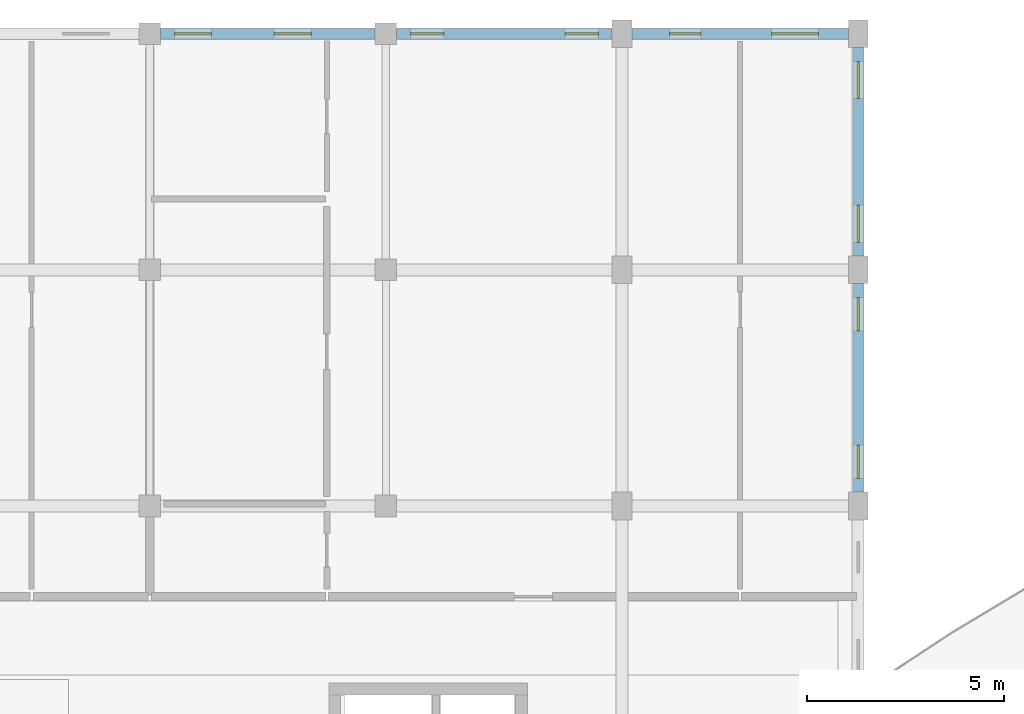
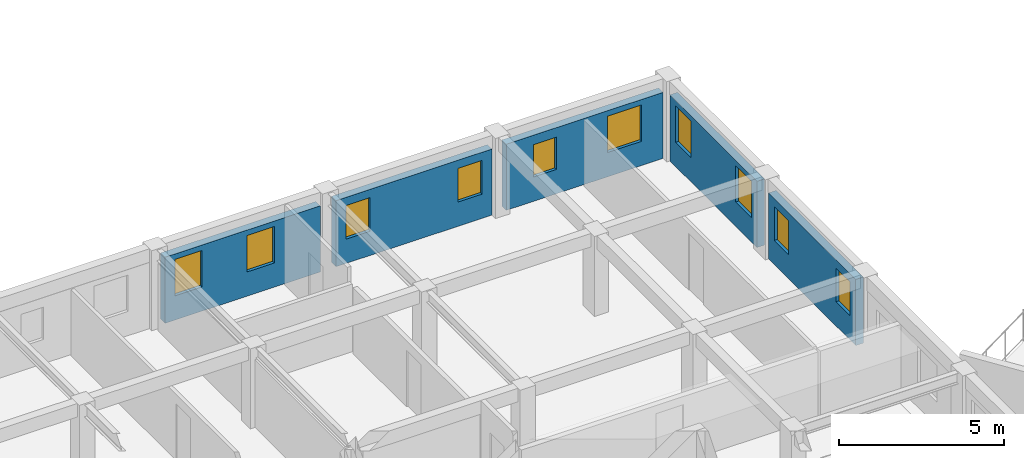
# One storey, part 38 of 58: 10 windows, 5 walls, 10 openings.
"""IFC4 building model written with IfcOpenShell, lengths in metres."""

from ifc_helpers import new_model, si_unit, direction, frame, frame_2d, origin, place, context, subcontext, project, spatial, rectangle, extrude, material, layer, layer_set, type_object, element, fill, save


model = new_model("IFC4")

# Units and contexts
model_context = context("Model", 3, precision=1e-05, world=origin(), true_north=direction((0.0, 1.0)))
body_context = subcontext(model_context, "Body", "Model", "MODEL_VIEW")
ifc_project = project(units=[si_unit("LENGTHUNIT", "METRE"), si_unit("AREAUNIT", "SQUARE_METRE"), si_unit("VOLUMEUNIT", "CUBIC_METRE"), si_unit("PLANEANGLEUNIT", "RADIAN"), si_unit("MASSUNIT", "GRAM", prefix="KILO"), si_unit("POWERUNIT", "WATT"), si_unit("THERMODYNAMICTEMPERATUREUNIT", "KELVIN")], contexts=[model_context])

# Site, building, storey
site_placement = place(None, origin())
site = spatial("IfcSite", under=ifc_project, at=site_placement, CompositionType="ELEMENT")
building_placement = place(site_placement, origin())
building = spatial("IfcBuilding", under=site, at=building_placement, Name="Ruvembo Vaulted Housing Court", CompositionType="ELEMENT")
storey_placement = place(building_placement, frame((0.0, 0.0, 20.5)))
storey = spatial("IfcBuildingStorey", under=building, at=storey_placement, Name="L06", CompositionType="ELEMENT", Elevation=20.5)

# Wall, openings, windows
ifc_material_1 = material(Name="Rendered Masonry 270", Category="masonry")
ifc_layer = layer(ifc_material_1, 0.27001953125, Name="Rendered Masonry 270")
ifc_layer_set = layer_set([ifc_layer], Name="Rendered Masonry 270")
wall_type = type_object("IfcWallType", Name="WL-EXT-270", PredefinedType="STANDARD", material=ifc_layer_set)
wall_1_placement = place(storey_placement, frame((84.0, 102.35009765625, 0.0), z_axis=(0.0, 0.0, 1.0), x_axis=(0.0, 1.0, 0.0)))
wall_1 = element("IfcWall", 1, at=wall_1_placement, inside=storey, type_object=wall_type, Name="Block B L06 Exterior Wall EAST #5", PredefinedType="STANDARD", context=body_context, shape_type="SweptSolid", body=[
    extrude(rectangle(XDim=5.2998046875, YDim=0.27001953125, at=frame_2d((2.64990234375, 0.0))), origin(), (0.0, 0.0, 1.0), 2.451904296875),
])
opening_1_placement = place(wall_1_placement, frame((0.35009765625, 0.0, 0.89990234375)))
opening_1 = element("IfcOpeningElement", 2, at=opening_1_placement, cuts=wall_1, Name="Opening W03", PredefinedType="OPENING", context=body_context, shape_type="SweptSolid", body=[
    extrude(rectangle(XDim=0.85009765625, YDim=1.25, at=frame_2d((0.425048828125, 0.625))), frame((0.0, 0.14501953125, 0.0), z_axis=(0.0, -1.0, 0.0), x_axis=(1.0, 0.0, 0.0)), (0.0, 0.0, 1.0), 0.2900390625),
])
opening_2_placement = place(wall_1_placement, frame((4.10009765625, 0.0, 0.89990234375)))
opening_2 = element("IfcOpeningElement", 3, at=opening_2_placement, cuts=wall_1, Name="Opening W03", PredefinedType="OPENING", context=body_context, shape_type="SweptSolid", body=[
    extrude(rectangle(XDim=0.85009765625, YDim=1.25, at=frame_2d((0.425048828125, 0.625))), frame((0.0, 0.14501953125, 0.0), z_axis=(0.0, -1.0, 0.0), x_axis=(1.0, 0.0, 0.0)), (0.0, 0.0, 1.0), 0.2900390625),
])
ifc_material_2 = material(Name="Double Solar-Control Glazing in Aluminium Frame", Category="aluminium")
window_type_1 = type_object("IfcWindowType", Name="WIN-0850x1250", PartitioningType="SINGLE_PANEL", PredefinedType="WINDOW", material=ifc_material_2)
window_1_placement = place(opening_1_placement, origin())
window_1 = element("IfcWindow", 4, at=window_1_placement, inside=storey, type_object=window_type_1, Name="Block B L06 Window #877", OverallHeight=1.25, OverallWidth=0.85009765625, PartitioningType="SINGLE_PANEL", PredefinedType="WINDOW", context=body_context, shape_type="SweptSolid", body=[
    extrude(rectangle(XDim=0.85009765625, YDim=1.25, at=frame_2d((0.425048828125, 0.625))), frame((0.0, 0.030029296875, 0.0), z_axis=(0.0, -1.0, 0.0), x_axis=(1.0, 0.0, 0.0)), (0.0, 0.0, 1.0), 0.06005859375),
])
fill(opening_1, window_1)
window_2_placement = place(opening_2_placement, origin())
window_2 = element("IfcWindow", 5, at=window_2_placement, inside=storey, type_object=window_type_1, Name="Block B L06 Window #878", OverallHeight=1.25, OverallWidth=0.85009765625, PartitioningType="SINGLE_PANEL", PredefinedType="WINDOW", context=body_context, shape_type="SweptSolid", body=[
    extrude(rectangle(XDim=0.85009765625, YDim=1.25, at=frame_2d((0.425048828125, 0.625))), frame((0.0, 0.030029296875, 0.0), z_axis=(0.0, -1.0, 0.0), x_axis=(1.0, 0.0, 0.0)), (0.0, 0.0, 1.0), 0.06005859375),
])
fill(opening_2, window_2)

wall_2_placement = place(storey_placement, frame((84.0, 108.35009765625, 0.0), z_axis=(0.0, 0.0, 1.0), x_axis=(0.0, 1.0, 0.0)))
wall_2 = element("IfcWall", 6, at=wall_2_placement, inside=storey, type_object=wall_type, Name="Block B L06 Exterior Wall EAST #6", PredefinedType="STANDARD", context=body_context, shape_type="SweptSolid", body=[
    extrude(rectangle(XDim=5.2998046875, YDim=0.27001953125, at=frame_2d((2.64990234375, 0.0))), origin(), (0.0, 0.0, 1.0), 2.451904296875),
])
opening_3_placement = place(wall_2_placement, frame((0.35009765625, 0.0, 0.89990234375)))
opening_3 = element("IfcOpeningElement", 7, at=opening_3_placement, cuts=wall_2, Name="Opening W07", PredefinedType="OPENING", context=body_context, shape_type="SweptSolid", body=[
    extrude(rectangle(XDim=0.949951171875, YDim=1.35009765625, at=frame_2d((0.47509765625, 0.675048828125))), frame((0.0, 0.14501953125, 0.0), z_axis=(0.0, -1.0, 0.0), x_axis=(1.0, 0.0, 0.0)), (0.0, 0.0, 1.0), 0.2900390625),
])
opening_4_placement = place(wall_2_placement, frame((4.0, 0.0, 0.89990234375)))
opening_4 = element("IfcOpeningElement", 8, at=opening_4_placement, cuts=wall_2, Name="Opening W07", PredefinedType="OPENING", context=body_context, shape_type="SweptSolid", body=[
    extrude(rectangle(XDim=0.949951171875, YDim=1.35009765625, at=frame_2d((0.47509765625, 0.675048828125))), frame((0.0, 0.14501953125, 0.0), z_axis=(0.0, -1.0, 0.0), x_axis=(1.0, 0.0, 0.0)), (0.0, 0.0, 1.0), 0.2900390625),
])
window_type_2 = type_object("IfcWindowType", Name="WIN-0950x1350", PartitioningType="SINGLE_PANEL", PredefinedType="WINDOW", material=ifc_material_2)
window_3_placement = place(opening_3_placement, origin())
window_3 = element("IfcWindow", 9, at=window_3_placement, inside=storey, type_object=window_type_2, Name="Block B L06 Window #879", OverallHeight=1.35009765625, OverallWidth=0.949951171875, PartitioningType="SINGLE_PANEL", PredefinedType="WINDOW", context=body_context, shape_type="SweptSolid", body=[
    extrude(rectangle(XDim=0.949951171875, YDim=1.35009765625, at=frame_2d((0.47509765625, 0.675048828125))), frame((0.0, 0.030029296875, 0.0), z_axis=(0.0, -1.0, 0.0), x_axis=(1.0, 0.0, 0.0)), (0.0, 0.0, 1.0), 0.06005859375),
])
fill(opening_3, window_3)
window_4_placement = place(opening_4_placement, origin())
window_4 = element("IfcWindow", 10, at=window_4_placement, inside=storey, type_object=window_type_2, Name="Block B L06 Window #880", OverallHeight=1.35009765625, OverallWidth=0.949951171875, PartitioningType="SINGLE_PANEL", PredefinedType="WINDOW", context=body_context, shape_type="SweptSolid", body=[
    extrude(rectangle(XDim=0.949951171875, YDim=1.35009765625, at=frame_2d((0.47509765625, 0.675048828125))), frame((0.0, 0.030029296875, 0.0), z_axis=(0.0, -1.0, 0.0), x_axis=(1.0, 0.0, 0.0)), (0.0, 0.0, 1.0), 0.06005859375),
])
fill(opening_4, window_4)

wall_3_placement = place(storey_placement, frame((83.75, 114.0, 0.0), z_axis=(0.0, 0.0, 1.0), x_axis=(-1.0, 0.0, 0.0)))
wall_3 = element("IfcWall", 11, at=wall_3_placement, inside=storey, type_object=wall_type, Name="Block B L06 Exterior Wall STREET #1", PredefinedType="STANDARD", context=body_context, shape_type="SweptSolid", body=[
    extrude(rectangle(XDim=5.5, YDim=0.27001953125, at=frame_2d((2.75, 0.0))), origin(), (0.0, 0.0, 1.0), 2.451904296875),
])
opening_5_placement = place(wall_3_placement, frame((0.7548828125, 0.0, 0.89990234375)))
opening_5 = element("IfcOpeningElement", 12, at=opening_5_placement, cuts=wall_3, Name="Opening W12", PredefinedType="OPENING", context=body_context, shape_type="SweptSolid", body=[
    extrude(rectangle(XDim=1.199951171875, YDim=1.35009765625, at=frame_2d((0.60009765625, 0.675048828125))), frame((0.0, 0.14501953125, 0.0), z_axis=(0.0, -1.0, 0.0), x_axis=(1.0, 0.0, 0.0)), (0.0, 0.0, 1.0), 0.2900390625),
])
opening_6_placement = place(wall_3_placement, frame((3.7451171875, 0.0, 0.89990234375)))
opening_6 = element("IfcOpeningElement", 13, at=opening_6_placement, cuts=wall_3, Name="Opening W02", PredefinedType="OPENING", context=body_context, shape_type="SweptSolid", body=[
    extrude(rectangle(XDim=0.800048828125, YDim=1.199951171875, at=frame_2d((0.39990234375, 0.60009765625))), frame((0.0, 0.14501953125, 0.0), z_axis=(0.0, -1.0, 0.0), x_axis=(1.0, 0.0, 0.0)), (0.0, 0.0, 1.0), 0.2900390625),
])
window_type_3 = type_object("IfcWindowType", Name="WIN-0800x1200", PartitioningType="SINGLE_PANEL", PredefinedType="WINDOW", material=ifc_material_2)
window_5_placement = place(opening_6_placement, origin())
window_5 = element("IfcWindow", 14, at=window_5_placement, inside=storey, type_object=window_type_3, Name="Block B L06 Window #882", OverallHeight=1.199951171875, OverallWidth=0.800048828125, PartitioningType="SINGLE_PANEL", PredefinedType="WINDOW", context=body_context, shape_type="SweptSolid", body=[
    extrude(rectangle(XDim=0.800048828125, YDim=1.199951171875, at=frame_2d((0.39990234375, 0.60009765625))), frame((0.0, 0.030029296875, 0.0), z_axis=(0.0, -1.0, 0.0), x_axis=(1.0, 0.0, 0.0)), (0.0, 0.0, 1.0), 0.06005859375),
])
fill(opening_6, window_5)
window_type_4 = type_object("IfcWindowType", Name="WIN-1200x1350", PartitioningType="SINGLE_PANEL", PredefinedType="WINDOW", material=ifc_material_2)
window_6_placement = place(opening_5_placement, origin())
window_6 = element("IfcWindow", 15, at=window_6_placement, inside=storey, type_object=window_type_4, Name="Block B L06 Window #881", OverallHeight=1.35009765625, OverallWidth=1.199951171875, PartitioningType="SINGLE_PANEL", PredefinedType="WINDOW", context=body_context, shape_type="SweptSolid", body=[
    extrude(rectangle(XDim=1.199951171875, YDim=1.35009765625, at=frame_2d((0.60009765625, 0.675048828125))), frame((0.0, 0.030029296875, 0.0), z_axis=(0.0, -1.0, 0.0), x_axis=(1.0, 0.0, 0.0)), (0.0, 0.0, 1.0), 0.06005859375),
])
fill(opening_5, window_6)

wall_4_placement = place(storey_placement, frame((77.75, 114.0, 0.0), z_axis=(0.0, 0.0, 1.0), x_axis=(-1.0, 0.0, 0.0)))
wall_4 = element("IfcWall", 16, at=wall_4_placement, inside=storey, type_object=wall_type, Name="Block B L06 Exterior Wall STREET #2", PredefinedType="STANDARD", context=body_context, shape_type="SweptSolid", body=[
    extrude(rectangle(XDim=5.47509765625, YDim=0.27001953125, at=frame_2d((2.737548828125, 0.0))), origin(), (0.0, 0.0, 1.0), 2.451904296875),
])
opening_7_placement = place(wall_4_placement, frame((0.35009765625, 0.0, 0.89990234375)))
opening_7 = element("IfcOpeningElement", 17, at=opening_7_placement, cuts=wall_4, Name="Opening W03", PredefinedType="OPENING", context=body_context, shape_type="SweptSolid", body=[
    extrude(rectangle(XDim=0.85009765625, YDim=1.25, at=frame_2d((0.425048828125, 0.625))), frame((0.0, 0.14501953125, 0.0), z_axis=(0.0, -1.0, 0.0), x_axis=(1.0, 0.0, 0.0)), (0.0, 0.0, 1.0), 0.2900390625),
])
opening_8_placement = place(wall_4_placement, frame((4.27490234375, 0.0, 0.89990234375)))
opening_8 = element("IfcOpeningElement", 18, at=opening_8_placement, cuts=wall_4, Name="Opening W03", PredefinedType="OPENING", context=body_context, shape_type="SweptSolid", body=[
    extrude(rectangle(XDim=0.85009765625, YDim=1.25, at=frame_2d((0.425048828125, 0.625))), frame((0.0, 0.14501953125, 0.0), z_axis=(0.0, -1.0, 0.0), x_axis=(1.0, 0.0, 0.0)), (0.0, 0.0, 1.0), 0.2900390625),
])
window_7_placement = place(opening_7_placement, origin())
window_7 = element("IfcWindow", 19, at=window_7_placement, inside=storey, type_object=window_type_1, Name="Block B L06 Window #883", OverallHeight=1.25, OverallWidth=0.85009765625, PartitioningType="SINGLE_PANEL", PredefinedType="WINDOW", context=body_context, shape_type="SweptSolid", body=[
    extrude(rectangle(XDim=0.85009765625, YDim=1.25, at=frame_2d((0.425048828125, 0.625))), frame((0.0, 0.030029296875, 0.0), z_axis=(0.0, -1.0, 0.0), x_axis=(1.0, 0.0, 0.0)), (0.0, 0.0, 1.0), 0.06005859375),
])
fill(opening_7, window_7)
window_8_placement = place(opening_8_placement, origin())
window_8 = element("IfcWindow", 20, at=window_8_placement, inside=storey, type_object=window_type_1, Name="Block B L06 Window #884", OverallHeight=1.25, OverallWidth=0.85009765625, PartitioningType="SINGLE_PANEL", PredefinedType="WINDOW", context=body_context, shape_type="SweptSolid", body=[
    extrude(rectangle(XDim=0.85009765625, YDim=1.25, at=frame_2d((0.425048828125, 0.625))), frame((0.0, 0.030029296875, 0.0), z_axis=(0.0, -1.0, 0.0), x_axis=(1.0, 0.0, 0.0)), (0.0, 0.0, 1.0), 0.06005859375),
])
fill(opening_8, window_8)

wall_5_placement = place(storey_placement, frame((71.72509765625, 114.0, 0.0), z_axis=(0.0, 0.0, 1.0), x_axis=(-1.0, 0.0, 0.0)))
wall_5 = element("IfcWall", 21, at=wall_5_placement, inside=storey, type_object=wall_type, Name="Block B L06 Exterior Wall STREET #3", PredefinedType="STANDARD", context=body_context, shape_type="SweptSolid", body=[
    extrude(rectangle(XDim=5.4501953125, YDim=0.27001953125, at=frame_2d((2.72509765625, 0.0))), origin(), (0.0, 0.0, 1.0), 2.451904296875),
])
opening_9_placement = place(wall_5_placement, frame((1.614990234375, 0.0, 0.89990234375)))
opening_9 = element("IfcOpeningElement", 22, at=opening_9_placement, cuts=wall_5, Name="Opening W07", PredefinedType="OPENING", context=body_context, shape_type="SweptSolid", body=[
    extrude(rectangle(XDim=0.949951171875, YDim=1.35009765625, at=frame_2d((0.47509765625, 0.675048828125))), frame((0.0, 0.14501953125, 0.0), z_axis=(0.0, -1.0, 0.0), x_axis=(1.0, 0.0, 0.0)), (0.0, 0.0, 1.0), 0.2900390625),
])
opening_10_placement = place(wall_5_placement, frame((4.14990234375, 0.0, 0.89990234375)))
opening_10 = element("IfcOpeningElement", 23, at=opening_10_placement, cuts=wall_5, Name="Opening W07", PredefinedType="OPENING", context=body_context, shape_type="SweptSolid", body=[
    extrude(rectangle(XDim=0.949951171875, YDim=1.35009765625, at=frame_2d((0.47509765625, 0.675048828125))), frame((0.0, 0.14501953125, 0.0), z_axis=(0.0, -1.0, 0.0), x_axis=(1.0, 0.0, 0.0)), (0.0, 0.0, 1.0), 0.2900390625),
])
window_9_placement = place(opening_9_placement, origin())
window_9 = element("IfcWindow", 24, at=window_9_placement, inside=storey, type_object=window_type_2, Name="Block B L06 Window #885", OverallHeight=1.35009765625, OverallWidth=0.949951171875, PartitioningType="SINGLE_PANEL", PredefinedType="WINDOW", context=body_context, shape_type="SweptSolid", body=[
    extrude(rectangle(XDim=0.949951171875, YDim=1.35009765625, at=frame_2d((0.47509765625, 0.675048828125))), frame((0.0, 0.030029296875, 0.0), z_axis=(0.0, -1.0, 0.0), x_axis=(1.0, 0.0, 0.0)), (0.0, 0.0, 1.0), 0.06005859375),
])
fill(opening_9, window_9)
window_10_placement = place(opening_10_placement, origin())
window_10 = element("IfcWindow", 25, at=window_10_placement, inside=storey, type_object=window_type_2, Name="Block B L06 Window #886", OverallHeight=1.35009765625, OverallWidth=0.949951171875, PartitioningType="SINGLE_PANEL", PredefinedType="WINDOW", context=body_context, shape_type="SweptSolid", body=[
    extrude(rectangle(XDim=0.949951171875, YDim=1.35009765625, at=frame_2d((0.47509765625, 0.675048828125))), frame((0.0, 0.030029296875, 0.0), z_axis=(0.0, -1.0, 0.0), x_axis=(1.0, 0.0, 0.0)), (0.0, 0.0, 1.0), 0.06005859375),
])
fill(opening_10, window_10)

save(model, "model.ifc")
